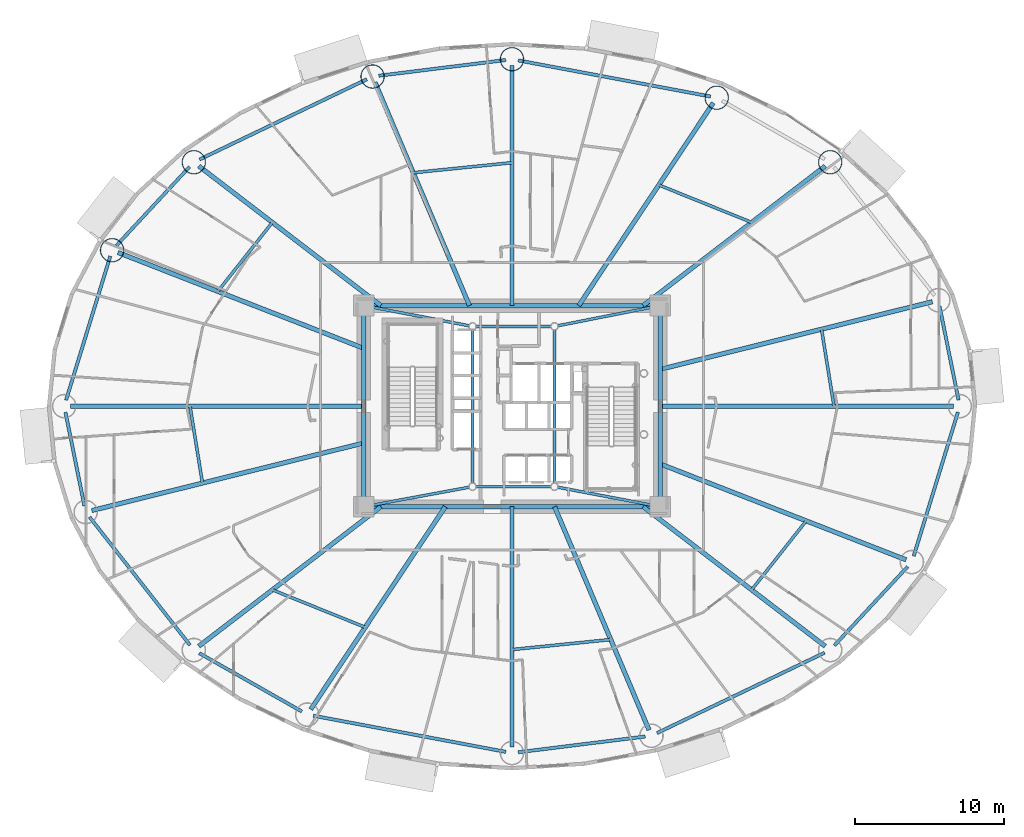
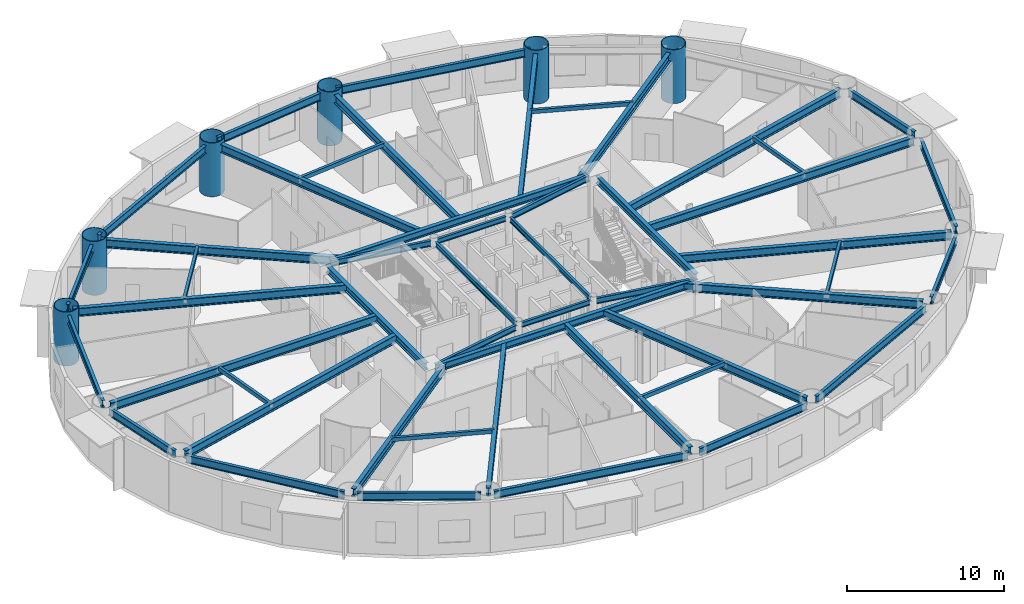
# One storey, part 3 of 24: 50 beams, 6 columns.
"""IFC4 building model written with IfcOpenShell, lengths in metres."""

from ifc_helpers import new_model, si_unit, direction, frame, origin, origin_2d, place, context, subcontext, project, spatial, hollow_rectangle, hollow_circle, i_section, extrude, material, material_profile, profile_set, type_object, element, save


model = new_model("IFC4")

# Units and contexts
model_context = context("Model", 3, precision=1e-05, world=origin(), true_north=direction((0.0, 1.0)))
body_context = subcontext(model_context, "Body", "Model", "MODEL_VIEW")
ifc_project = project(units=[si_unit("LENGTHUNIT", "METRE"), si_unit("AREAUNIT", "SQUARE_METRE"), si_unit("VOLUMEUNIT", "CUBIC_METRE"), si_unit("PLANEANGLEUNIT", "RADIAN"), si_unit("MASSUNIT", "GRAM", prefix="KILO")], contexts=[model_context])

# Site, building, storey
site_placement = place(None, origin())
site = spatial("IfcSite", under=ifc_project, at=site_placement, CompositionType="ELEMENT")
building_placement = place(site_placement, origin())
building = spatial("IfcBuilding", under=site, at=building_placement, Name="Linh Dai School and Residence Tower", CompositionType="ELEMENT")
storey_placement = place(building_placement, frame((0.0, 0.0, 74.39990234375)))
storey = spatial("IfcBuildingStorey", under=building, at=storey_placement, Name="L17", CompositionType="ELEMENT", Elevation=74.39990234375)

# Columns
ifc_material = material(Name="Structural Steel S355JR", Category="steel")
ifc_material_profile_1 = material_profile(ifc_material, hollow_circle(Radius=0.800048828125, WallThickness=0.044921875, at=origin_2d()), Name="CHS 1600x45")
ifc_profile_set_1 = profile_set([ifc_material_profile_1], Name="Structural Steel S355JR")
column_type = type_object("IfcColumnType", Name="COL-MC2", PredefinedType="COLUMN", material=ifc_profile_set_1)
for number, where, z_axis, x_axis, name in (
    (1, (57.352783203125, 43.369140625, 0.0), (0.0, 0.0, 1.0), (1.0, 0.0, 0.0), "L17 Perimeter CFT Mega-Column MC03"),
    (2, (49.73828125, 47.69921875, 0.0), (0.0, 0.0, 1.0), (1.0, 0.0, 0.0), "L17 Perimeter CFT Mega-Column MC04"),
    (3, (36.0, 50.280029296875, 0.0), (0.0, 0.0, 1.0), (1.0, 0.0, 0.0), "L17 Perimeter CFT Mega-Column MC05"),
    (4, (26.642333984375, 49.119873046875, 0.0), (0.0, 0.0, 1.0), (1.0, 0.0, 0.0), "L17 Perimeter CFT Mega-Column MC06"),
    (5, (14.647216796875, 43.369140625, 0.0), (0.0, 0.0, 1.0), (1.0, 0.0, 0.0), "L17 Perimeter CFT Mega-Column MC07"),
    (6, (9.16455078125, 37.4638671875, 0.0), (0.0, 0.0, 1.0), (1.0, 0.0, 0.0), "L17 Perimeter CFT Mega-Column MC08"),
):
    element("IfcColumn", number, at=place(storey_placement, frame(where, z_axis=z_axis, x_axis=x_axis)), inside=storey, type_object=column_type, Name=name, PredefinedType="COLUMN", context=body_context, shape_type="SweptSolid", body=[
        extrude(hollow_circle(Radius=0.800048828125, WallThickness=0.044921875, at=origin_2d()), origin(), (0.0, 0.0, 1.0), 4.2001953125),
    ])

# Beams
ifc_material_profile_2 = material_profile(ifc_material, hollow_rectangle(XDim=0.199951171875, YDim=0.300048828125, WallThickness=0.010009765625, at=origin_2d()), Name="RHS 300x200x10")
ifc_profile_set_2 = profile_set([ifc_material_profile_2], Name="Structural Steel S355JR")
beam_type_1 = type_object("IfcBeamType", Name="BM-BX3", PredefinedType="BEAM", material=ifc_profile_set_2)
beam_1_placement = place(storey_placement, frame((57.607177734375, 27.0048828125, 3.800048828125), z_axis=(-0.159632523434, 0.987176507754, 0.0), x_axis=(-0.987176507754, -0.159632523434, 0.0)))
element("IfcBeam", 7, at=beam_1_placement, inside=storey, type_object=beam_type_1, Name="L17 Secondary Circumferential Floor Beam 01", PredefinedType="BEAM", context=body_context, shape_type="SweptSolid", body=[
    extrude(hollow_rectangle(XDim=0.199951171875, YDim=0.300048828125, WallThickness=0.010009765625, at=origin_2d()), origin(), (0.0, 0.0, 1.0), 5.21826171875),
])
beam_2_placement = place(storey_placement, frame((52.078125, 39.3310546875, 3.800048828125), z_axis=(-0.927542803202, 0.373716935968, 0.0), x_axis=(-0.373716935968, -0.927542803202, 0.0)))
element("IfcBeam", 8, at=beam_2_placement, inside=storey, type_object=beam_type_1, Name="L17 Secondary Circumferential Floor Beam 02", PredefinedType="BEAM", context=body_context, shape_type="SweptSolid", body=[
    extrude(hollow_rectangle(XDim=0.199951171875, YDim=0.300048828125, WallThickness=0.010009765625, at=origin_2d()), origin(), (0.0, 0.0, 1.0), 6.709716796875),
])
beam_3_placement = place(storey_placement, frame((35.9951171875, 43.3369140625, 3.800048828125), z_axis=(-0.99488448114, -0.10101915257, 0.0), x_axis=(0.10101915257, -0.99488448114, 0.0)))
element("IfcBeam", 9, at=beam_3_placement, inside=storey, type_object=beam_type_1, Name="L17 Secondary Circumferential Floor Beam 03", PredefinedType="BEAM", context=body_context, shape_type="SweptSolid", body=[
    extrude(hollow_rectangle(XDim=0.199951171875, YDim=0.300048828125, WallThickness=0.010009765625, at=origin_2d()), origin(), (0.0, 0.0, 1.0), 6.65087890625),
])
beam_4_placement = place(storey_placement, frame((19.914306640625, 39.3251953125, 3.800048828125), z_axis=(-0.620188156993, -0.784453089691, 0.0), x_axis=(0.784453089691, -0.620188156993, 0.0)))
element("IfcBeam", 10, at=beam_4_placement, inside=storey, type_object=beam_type_1, Name="L17 Secondary Circumferential Floor Beam 04", PredefinedType="BEAM", context=body_context, shape_type="SweptSolid", body=[
    extrude(hollow_rectangle(XDim=0.199951171875, YDim=0.300048828125, WallThickness=0.010009765625, at=origin_2d()), origin(), (0.0, 0.0, 1.0), 5.89306640625),
])
beam_5_placement = place(storey_placement, frame((14.392822265625, 26.9951171875, 3.800048828125), z_axis=(0.159632523434, -0.987176507754, 0.0), x_axis=(0.987176507754, 0.159632523434, 0.0)))
element("IfcBeam", 11, at=beam_5_placement, inside=storey, type_object=beam_type_1, Name="L17 Secondary Circumferential Floor Beam 05", PredefinedType="BEAM", context=body_context, shape_type="SweptSolid", body=[
    extrude(hollow_rectangle(XDim=0.199951171875, YDim=0.300048828125, WallThickness=0.010009765625, at=origin_2d()), origin(), (0.0, 0.0, 1.0), 5.21826171875),
])
beam_6_placement = place(storey_placement, frame((19.921875, 14.6689453125, 3.800048828125), z_axis=(0.927542803202, -0.373716935968, 0.0), x_axis=(0.373716935968, 0.927542803202, 0.0)))
element("IfcBeam", 12, at=beam_6_placement, inside=storey, type_object=beam_type_1, Name="L17 Secondary Circumferential Floor Beam 06", PredefinedType="BEAM", context=body_context, shape_type="SweptSolid", body=[
    extrude(hollow_rectangle(XDim=0.199951171875, YDim=0.300048828125, WallThickness=0.010009765625, at=origin_2d()), origin(), (0.0, 0.0, 1.0), 6.709716796875),
])
beam_7_placement = place(storey_placement, frame((36.0048828125, 10.6630859375, 3.800048828125), z_axis=(0.99488448114, 0.10101915257, 0.0), x_axis=(-0.10101915257, 0.99488448114, 0.0)))
element("IfcBeam", 13, at=beam_7_placement, inside=storey, type_object=beam_type_1, Name="L17 Secondary Circumferential Floor Beam 07", PredefinedType="BEAM", context=body_context, shape_type="SweptSolid", body=[
    extrude(hollow_rectangle(XDim=0.199951171875, YDim=0.300048828125, WallThickness=0.010009765625, at=origin_2d()), origin(), (0.0, 0.0, 1.0), 6.65087890625),
])
beam_8_placement = place(storey_placement, frame((52.085693359375, 14.6748046875, 3.800048828125), z_axis=(0.620188156993, 0.784453089691, 0.0), x_axis=(-0.784453089691, 0.620188156993, 0.0)))
element("IfcBeam", 14, at=beam_8_placement, inside=storey, type_object=beam_type_1, Name="L17 Secondary Circumferential Floor Beam 08", PredefinedType="BEAM", context=body_context, shape_type="SweptSolid", body=[
    extrude(hollow_rectangle(XDim=0.199951171875, YDim=0.300048828125, WallThickness=0.010009765625, at=origin_2d()), origin(), (0.0, 0.0, 1.0), 5.89306640625),
])
ifc_material_profile_3 = material_profile(ifc_material, i_section(OverallWidth=0.219970703125, OverallDepth=0.60009765625, WebThickness=0.011962890625, FlangeThickness=0.01904296875, FilletRadius=0.02392578125, at=origin_2d()), Name="IPE 600")
ifc_profile_set_3 = profile_set([ifc_material_profile_3], Name="Structural Steel S355JR")
beam_type_2 = type_object("IfcBeamType", Name="BM-RB60", PredefinedType="BEAM", material=ifc_profile_set_3)
beam_9_placement = place(storey_placement, frame((65.966552734375, 27.41162109375, 3.650146484375), z_axis=(-0.198429171022, 0.980115230005, 0.0), x_axis=(-0.980115230005, -0.198429171022, 0.0)))
element("IfcBeam", 15, at=beam_9_placement, inside=storey, type_object=beam_type_2, Name="L17 Perimeter Elliptical Ring Beam 01", PredefinedType="BEAM", context=body_context, shape_type="SweptSolid", body=[
    extrude(i_section(OverallWidth=0.219970703125, OverallDepth=0.60009765625, WebThickness=0.011962890625, FlangeThickness=0.01904296875, FilletRadius=0.02392578125, at=origin_2d()), origin(), (0.0, 0.0, 1.0), 6.41259765625),
])
beam_10_placement = place(storey_placement, frame((49.32568359375, 47.776611328125, 3.650146484375), z_axis=(-0.982808389171, 0.184628465236, 0.0), x_axis=(-0.184628465236, -0.982808389171, 0.0)))
element("IfcBeam", 16, at=beam_10_placement, inside=storey, type_object=beam_type_2, Name="L17 Perimeter Elliptical Ring Beam 04", PredefinedType="BEAM", context=body_context, shape_type="SweptSolid", body=[
    extrude(i_section(OverallWidth=0.219970703125, OverallDepth=0.60009765625, WebThickness=0.011962890625, FlangeThickness=0.01904296875, FilletRadius=0.02392578125, at=origin_2d()), origin(), (0.0, 0.0, 1.0), 13.138671875),
])
beam_11_placement = place(storey_placement, frame((35.583251953125, 50.228271484375, 3.650146484375), z_axis=(-0.99240113372, -0.123044665842, 0.0), x_axis=(0.123044665842, -0.99240113372, 0.0)))
element("IfcBeam", 17, at=beam_11_placement, inside=storey, type_object=beam_type_2, Name="L17 Perimeter Elliptical Ring Beam 05", PredefinedType="BEAM", context=body_context, shape_type="SweptSolid", body=[
    extrude(i_section(OverallWidth=0.219970703125, OverallDepth=0.60009765625, WebThickness=0.011962890625, FlangeThickness=0.01904296875, FilletRadius=0.02392578125, at=origin_2d()), origin(), (0.0, 0.0, 1.0), 8.58935546875),
])
beam_12_placement = place(storey_placement, frame((26.263427734375, 48.938232421875, 3.650146484375), z_axis=(-0.901728693485, -0.432302398034, 0.0), x_axis=(0.432302398034, -0.901728693485, 0.0)))
element("IfcBeam", 18, at=beam_12_placement, inside=storey, type_object=beam_type_2, Name="L17 Perimeter Elliptical Ring Beam 06", PredefinedType="BEAM", context=body_context, shape_type="SweptSolid", body=[
    extrude(i_section(OverallWidth=0.219970703125, OverallDepth=0.60009765625, WebThickness=0.011962890625, FlangeThickness=0.01904296875, FilletRadius=0.02392578125, at=origin_2d()), origin(), (0.0, 0.0, 1.0), 12.462158203125),
])
beam_13_placement = place(storey_placement, frame((14.361572265625, 43.061279296875, 3.650146484375), z_axis=(-0.680408287194, -0.732833243458, 0.0), x_axis=(0.732833243458, -0.680408287194, 0.0)))
element("IfcBeam", 19, at=beam_13_placement, inside=storey, type_object=beam_type_2, Name="L17 Perimeter Elliptical Ring Beam 07", PredefinedType="BEAM", context=body_context, shape_type="SweptSolid", body=[
    extrude(i_section(OverallWidth=0.219970703125, OverallDepth=0.60009765625, WebThickness=0.011962890625, FlangeThickness=0.01904296875, FilletRadius=0.02392578125, at=origin_2d()), origin(), (0.0, 0.0, 1.0), 7.21826171875),
])
beam_14_placement = place(storey_placement, frame((9.041259765625, 37.062255859375, 3.650146484375), z_axis=(-0.293673329015, -0.95590584046, 0.0), x_axis=(0.95590584046, -0.293673329015, 0.0)))
element("IfcBeam", 20, at=beam_14_placement, inside=storey, type_object=beam_type_2, Name="L17 Perimeter Elliptical Ring Beam 08", PredefinedType="BEAM", context=body_context, shape_type="SweptSolid", body=[
    extrude(i_section(OverallWidth=0.219970703125, OverallDepth=0.60009765625, WebThickness=0.011962890625, FlangeThickness=0.01904296875, FilletRadius=0.02392578125, at=origin_2d()), origin(), (0.0, 0.0, 1.0), 10.1064453125),
])
beam_15_placement = place(storey_placement, frame((6.033447265625, 26.58837890625, 3.650146484375), z_axis=(0.198429171022, -0.980115230005, 0.0), x_axis=(0.980115230005, 0.198429171022, 0.0)))
element("IfcBeam", 21, at=beam_15_placement, inside=storey, type_object=beam_type_2, Name="L17 Perimeter Elliptical Ring Beam 09", PredefinedType="BEAM", context=body_context, shape_type="SweptSolid", body=[
    extrude(i_section(OverallWidth=0.219970703125, OverallDepth=0.60009765625, WebThickness=0.011962890625, FlangeThickness=0.01904296875, FilletRadius=0.02392578125, at=origin_2d()), origin(), (0.0, 0.0, 1.0), 6.41259765625),
])
beam_16_placement = place(storey_placement, frame((7.648193359375, 19.560791015625, 3.650146484375), z_axis=(0.616878670407, -0.787058260866, 0.0), x_axis=(0.787058260866, 0.616878670407, 0.0)))
element("IfcBeam", 22, at=beam_16_placement, inside=storey, type_object=beam_type_2, Name="L17 Perimeter Elliptical Ring Beam 10", PredefinedType="BEAM", context=body_context, shape_type="SweptSolid", body=[
    extrude(i_section(OverallWidth=0.219970703125, OverallDepth=0.60009765625, WebThickness=0.011962890625, FlangeThickness=0.01904296875, FilletRadius=0.02392578125, at=origin_2d()), origin(), (0.0, 0.0, 1.0), 10.926025390625),
])
beam_17_placement = place(storey_placement, frame((15.012451171875, 10.42333984375, 3.650146484375), z_axis=(0.869271416992, -0.494335112653, 0.0), x_axis=(0.494335112653, 0.869271416992, 0.0)))
element("IfcBeam", 23, at=beam_17_placement, inside=storey, type_object=beam_type_2, Name="L17 Perimeter Elliptical Ring Beam 11", PredefinedType="BEAM", context=body_context, shape_type="SweptSolid", body=[
    extrude(i_section(OverallWidth=0.219970703125, OverallDepth=0.60009765625, WebThickness=0.011962890625, FlangeThickness=0.01904296875, FilletRadius=0.02392578125, at=origin_2d()), origin(), (0.0, 0.0, 1.0), 7.91943359375),
])
beam_18_placement = place(storey_placement, frame((22.67431640625, 6.223388671875, 3.650146484375), z_axis=(0.982808389171, -0.184628465236, 0.0), x_axis=(0.184628465236, 0.982808389171, 0.0)))
element("IfcBeam", 24, at=beam_18_placement, inside=storey, type_object=beam_type_2, Name="L17 Perimeter Elliptical Ring Beam 12", PredefinedType="BEAM", context=body_context, shape_type="SweptSolid", body=[
    extrude(i_section(OverallWidth=0.219970703125, OverallDepth=0.60009765625, WebThickness=0.011962890625, FlangeThickness=0.01904296875, FilletRadius=0.02392578125, at=origin_2d()), origin(), (0.0, 0.0, 1.0), 13.138671875),
])
beam_19_placement = place(storey_placement, frame((36.416748046875, 3.771728515625, 3.650146484375), z_axis=(0.99240113372, 0.123044665842, 0.0), x_axis=(-0.123044665842, 0.99240113372, 0.0)))
element("IfcBeam", 25, at=beam_19_placement, inside=storey, type_object=beam_type_2, Name="L17 Perimeter Elliptical Ring Beam 13", PredefinedType="BEAM", context=body_context, shape_type="SweptSolid", body=[
    extrude(i_section(OverallWidth=0.219970703125, OverallDepth=0.60009765625, WebThickness=0.011962890625, FlangeThickness=0.01904296875, FilletRadius=0.02392578125, at=origin_2d()), origin(), (0.0, 0.0, 1.0), 8.58935546875),
])
beam_20_placement = place(storey_placement, frame((45.736572265625, 5.061767578125, 3.650146484375), z_axis=(0.901728693485, 0.432302398034, 0.0), x_axis=(-0.432302398034, 0.901728693485, 0.0)))
element("IfcBeam", 26, at=beam_20_placement, inside=storey, type_object=beam_type_2, Name="L17 Perimeter Elliptical Ring Beam 14", PredefinedType="BEAM", context=body_context, shape_type="SweptSolid", body=[
    extrude(i_section(OverallWidth=0.219970703125, OverallDepth=0.60009765625, WebThickness=0.011962890625, FlangeThickness=0.01904296875, FilletRadius=0.02392578125, at=origin_2d()), origin(), (0.0, 0.0, 1.0), 12.462158203125),
])
beam_21_placement = place(storey_placement, frame((57.638427734375, 10.938720703125, 3.650146484375), z_axis=(0.680408287194, 0.732833243458, 0.0), x_axis=(-0.732833243458, 0.680408287194, 0.0)))
element("IfcBeam", 27, at=beam_21_placement, inside=storey, type_object=beam_type_2, Name="L17 Perimeter Elliptical Ring Beam 15", PredefinedType="BEAM", context=body_context, shape_type="SweptSolid", body=[
    extrude(i_section(OverallWidth=0.219970703125, OverallDepth=0.60009765625, WebThickness=0.011962890625, FlangeThickness=0.01904296875, FilletRadius=0.02392578125, at=origin_2d()), origin(), (0.0, 0.0, 1.0), 7.21826171875),
])
beam_22_placement = place(storey_placement, frame((62.958740234375, 16.937744140625, 3.650146484375), z_axis=(0.293673329015, 0.95590584046, 0.0), x_axis=(-0.95590584046, 0.293673329015, 0.0)))
element("IfcBeam", 28, at=beam_22_placement, inside=storey, type_object=beam_type_2, Name="L17 Perimeter Elliptical Ring Beam 16", PredefinedType="BEAM", context=body_context, shape_type="SweptSolid", body=[
    extrude(i_section(OverallWidth=0.219970703125, OverallDepth=0.60009765625, WebThickness=0.011962890625, FlangeThickness=0.01904296875, FilletRadius=0.02392578125, at=origin_2d()), origin(), (0.0, 0.0, 1.0), 10.1064453125),
])
ifc_material_profile_4 = material_profile(ifc_material, i_section(OverallWidth=0.300048828125, OverallDepth=0.550048828125, WebThickness=0.014892578125, FlangeThickness=0.029052734375, FilletRadius=0.027099609375, at=origin_2d()), Name="HEB 550")
ifc_profile_set_4 = profile_set([ifc_material_profile_4], Name="Structural Steel S355JR")
beam_type_3 = type_object("IfcBeamType", Name="BM-RG55", PredefinedType="BEAM", material=ifc_profile_set_4)
beam_23_placement = place(storey_placement, frame((26.469970703125, 20.25, 3.675048828125), z_axis=(1.0, 0.0, 0.0), x_axis=(0.0, 1.0, 0.0)))
element("IfcBeam", 29, at=beam_23_placement, inside=storey, type_object=beam_type_3, Name="L17 Core Perimeter Coupling Girder 1", PredefinedType="BEAM", context=body_context, shape_type="SweptSolid", body=[
    extrude(i_section(OverallWidth=0.300048828125, OverallDepth=0.550048828125, WebThickness=0.014892578125, FlangeThickness=0.029052734375, FilletRadius=0.027099609375, at=origin_2d()), origin(), (0.0, 0.0, 1.0), 19.06005859375),
])
beam_24_placement = place(storey_placement, frame((45.949951171875, 20.669921875, 3.675048828125), z_axis=(0.0, 1.0, 0.0), x_axis=(-1.0, 0.0, 0.0)))
element("IfcBeam", 30, at=beam_24_placement, inside=storey, type_object=beam_type_3, Name="L17 Core Perimeter Coupling Girder 2", PredefinedType="BEAM", context=body_context, shape_type="SweptSolid", body=[
    extrude(i_section(OverallWidth=0.300048828125, OverallDepth=0.550048828125, WebThickness=0.014892578125, FlangeThickness=0.029052734375, FilletRadius=0.027099609375, at=origin_2d()), origin(), (0.0, 0.0, 1.0), 12.66015625),
])
beam_25_placement = place(storey_placement, frame((45.530029296875, 33.75, 3.675048828125), z_axis=(-1.0, 0.0, 0.0), x_axis=(0.0, -1.0, 0.0)))
element("IfcBeam", 31, at=beam_25_placement, inside=storey, type_object=beam_type_3, Name="L17 Core Perimeter Coupling Girder 3", PredefinedType="BEAM", context=body_context, shape_type="SweptSolid", body=[
    extrude(i_section(OverallWidth=0.300048828125, OverallDepth=0.550048828125, WebThickness=0.014892578125, FlangeThickness=0.029052734375, FilletRadius=0.027099609375, at=origin_2d()), origin(), (0.0, 0.0, 1.0), 19.06005859375),
])
beam_26_placement = place(storey_placement, frame((26.050048828125, 33.330078125, 3.675048828125), z_axis=(0.0, -1.0, 0.0), x_axis=(1.0, 0.0, 0.0)))
element("IfcBeam", 32, at=beam_26_placement, inside=storey, type_object=beam_type_3, Name="L17 Core Perimeter Coupling Girder 4", PredefinedType="BEAM", context=body_context, shape_type="SweptSolid", body=[
    extrude(i_section(OverallWidth=0.300048828125, OverallDepth=0.550048828125, WebThickness=0.014892578125, FlangeThickness=0.029052734375, FilletRadius=0.027099609375, at=origin_2d()), origin(), (0.0, 0.0, 1.0), 12.66015625),
])
ifc_material_profile_5 = material_profile(ifc_material, i_section(OverallWidth=0.300048828125, OverallDepth=0.64990234375, WebThickness=0.01611328125, FlangeThickness=0.031005859375, FilletRadius=0.027099609375, at=origin_2d()), Name="HEB 650")
ifc_profile_set_5 = profile_set([ifc_material_profile_5], Name="Structural Steel S355JR")
beam_type_4 = type_object("IfcBeamType", Name="BM-RG65", PredefinedType="BEAM", material=ifc_profile_set_5)
beam_27_placement = place(storey_placement, frame((45.949951171875, 27.0, 3.625), z_axis=(1.0, 0.0, 0.0), x_axis=(0.0, 1.0, 0.0)))
element("IfcBeam", 33, at=beam_27_placement, inside=storey, type_object=beam_type_4, Name="L17 Primary Radial Floor Girder 01", PredefinedType="BEAM", context=body_context, shape_type="SweptSolid", body=[
    extrude(i_section(OverallWidth=0.300048828125, OverallDepth=0.64990234375, WebThickness=0.01611328125, FlangeThickness=0.031005859375, FilletRadius=0.027099609375, at=origin_2d()), origin(), (0.0, 0.0, 1.0), 19.679931640625),
])
beam_28_placement = place(storey_placement, frame((45.949951171875, 29.47216796875, 3.625), z_axis=(0.970493481328, 0.241127357843, 0.0), x_axis=(-0.241127357843, 0.970493481328, 0.0)))
element("IfcBeam", 34, at=beam_28_placement, inside=storey, type_object=beam_type_4, Name="L17 Primary Radial Floor Girder 02", PredefinedType="BEAM", context=body_context, shape_type="SweptSolid", body=[
    extrude(i_section(OverallWidth=0.300048828125, OverallDepth=0.64990234375, WebThickness=0.01611328125, FlangeThickness=0.031005859375, FilletRadius=0.027099609375, at=origin_2d()), origin(), (0.0, 0.0, 1.0), 18.80810546875),
])
beam_29_placement = place(storey_placement, frame((44.804931640625, 33.75, 3.625), z_axis=(0.793637764155, 0.608390581212, 0.0), x_axis=(-0.608390581212, 0.793637764155, 0.0)))
element("IfcBeam", 35, at=beam_29_placement, inside=storey, type_object=beam_type_4, Name="L17 Primary Radial Floor Girder 03", PredefinedType="BEAM", context=body_context, shape_type="SweptSolid", body=[
    extrude(i_section(OverallWidth=0.300048828125, OverallDepth=0.64990234375, WebThickness=0.01611328125, FlangeThickness=0.031005859375, FilletRadius=0.027099609375, at=origin_2d()), origin(), (0.0, 0.0, 1.0), 15.390625),
])
beam_30_placement = place(storey_placement, frame((40.47998046875, 33.75, 3.625), z_axis=(0.55300421354, 0.833178456158, 0.0), x_axis=(-0.833178456158, 0.55300421354, 0.0)))
element("IfcBeam", 36, at=beam_30_placement, inside=storey, type_object=beam_type_4, Name="L17 Primary Radial Floor Girder 04", PredefinedType="BEAM", context=body_context, shape_type="SweptSolid", body=[
    extrude(i_section(OverallWidth=0.300048828125, OverallDepth=0.64990234375, WebThickness=0.01611328125, FlangeThickness=0.031005859375, FilletRadius=0.027099609375, at=origin_2d()), origin(), (0.0, 0.0, 1.0), 16.322021484375),
])
beam_31_placement = place(storey_placement, frame((36.0, 33.75, 3.625), z_axis=(0.0, 1.0, 0.0), x_axis=(-1.0, 0.0, 0.0)))
element("IfcBeam", 37, at=beam_31_placement, inside=storey, type_object=beam_type_4, Name="L17 Primary Radial Floor Girder 05", PredefinedType="BEAM", context=body_context, shape_type="SweptSolid", body=[
    extrude(i_section(OverallWidth=0.300048828125, OverallDepth=0.64990234375, WebThickness=0.01611328125, FlangeThickness=0.031005859375, FilletRadius=0.027099609375, at=origin_2d()), origin(), (0.0, 0.0, 1.0), 16.110107421875),
])
beam_32_placement = place(storey_placement, frame((33.14453125, 33.75, 3.625), z_axis=(-0.38962432485, 0.920973878829, 0.0), x_axis=(-0.920973878829, -0.38962432485, 0.0)))
element("IfcBeam", 38, at=beam_32_placement, inside=storey, type_object=beam_type_4, Name="L17 Primary Radial Floor Girder 06", PredefinedType="BEAM", context=body_context, shape_type="SweptSolid", body=[
    extrude(i_section(OverallWidth=0.300048828125, OverallDepth=0.64990234375, WebThickness=0.01611328125, FlangeThickness=0.031005859375, FilletRadius=0.027099609375, at=origin_2d()), origin(), (0.0, 0.0, 1.0), 16.2685546875),
])
beam_33_placement = place(storey_placement, frame((27.195068359375, 33.75, 3.625), z_axis=(-0.793637764155, 0.608390581212, 0.0), x_axis=(-0.608390581212, -0.793637764155, 0.0)))
element("IfcBeam", 39, at=beam_33_placement, inside=storey, type_object=beam_type_4, Name="L17 Primary Radial Floor Girder 07", PredefinedType="BEAM", context=body_context, shape_type="SweptSolid", body=[
    extrude(i_section(OverallWidth=0.300048828125, OverallDepth=0.64990234375, WebThickness=0.01611328125, FlangeThickness=0.031005859375, FilletRadius=0.027099609375, at=origin_2d()), origin(), (0.0, 0.0, 1.0), 15.390625),
])
beam_34_placement = place(storey_placement, frame((26.050048828125, 30.879638671875, 3.625), z_axis=(-0.93167509369, 0.363292609061, 0.0), x_axis=(-0.363292609061, -0.93167509369, 0.0)))
element("IfcBeam", 40, at=beam_34_placement, inside=storey, type_object=beam_type_4, Name="L17 Primary Radial Floor Girder 08", PredefinedType="BEAM", context=body_context, shape_type="SweptSolid", body=[
    extrude(i_section(OverallWidth=0.300048828125, OverallDepth=0.64990234375, WebThickness=0.01611328125, FlangeThickness=0.031005859375, FilletRadius=0.027099609375, at=origin_2d()), origin(), (0.0, 0.0, 1.0), 17.703857421875),
])
beam_35_placement = place(storey_placement, frame((26.050048828125, 27.0, 3.625), z_axis=(-1.0, 0.0, 0.0), x_axis=(0.0, -1.0, 0.0)))
element("IfcBeam", 41, at=beam_35_placement, inside=storey, type_object=beam_type_4, Name="L17 Primary Radial Floor Girder 09", PredefinedType="BEAM", context=body_context, shape_type="SweptSolid", body=[
    extrude(i_section(OverallWidth=0.300048828125, OverallDepth=0.64990234375, WebThickness=0.01611328125, FlangeThickness=0.031005859375, FilletRadius=0.027099609375, at=origin_2d()), origin(), (0.0, 0.0, 1.0), 19.679931640625),
])
beam_36_placement = place(storey_placement, frame((26.050048828125, 24.52783203125, 3.625), z_axis=(-0.970493481328, -0.241127357843, 0.0), x_axis=(0.241127357843, -0.970493481328, 0.0)))
element("IfcBeam", 42, at=beam_36_placement, inside=storey, type_object=beam_type_4, Name="L17 Primary Radial Floor Girder 10", PredefinedType="BEAM", context=body_context, shape_type="SweptSolid", body=[
    extrude(i_section(OverallWidth=0.300048828125, OverallDepth=0.64990234375, WebThickness=0.01611328125, FlangeThickness=0.031005859375, FilletRadius=0.027099609375, at=origin_2d()), origin(), (0.0, 0.0, 1.0), 18.80810546875),
])
beam_37_placement = place(storey_placement, frame((27.195068359375, 20.25, 3.625), z_axis=(-0.793637764155, -0.608390581212, 0.0), x_axis=(0.608390581212, -0.793637764155, 0.0)))
element("IfcBeam", 43, at=beam_37_placement, inside=storey, type_object=beam_type_4, Name="L17 Primary Radial Floor Girder 11", PredefinedType="BEAM", context=body_context, shape_type="SweptSolid", body=[
    extrude(i_section(OverallWidth=0.300048828125, OverallDepth=0.64990234375, WebThickness=0.01611328125, FlangeThickness=0.031005859375, FilletRadius=0.027099609375, at=origin_2d()), origin(), (0.0, 0.0, 1.0), 15.390625),
])
beam_38_placement = place(storey_placement, frame((31.52001953125, 20.25, 3.625), z_axis=(-0.55300421354, -0.833178456158, 0.0), x_axis=(0.833178456158, -0.55300421354, 0.0)))
element("IfcBeam", 44, at=beam_38_placement, inside=storey, type_object=beam_type_4, Name="L17 Primary Radial Floor Girder 12", PredefinedType="BEAM", context=body_context, shape_type="SweptSolid", body=[
    extrude(i_section(OverallWidth=0.300048828125, OverallDepth=0.64990234375, WebThickness=0.01611328125, FlangeThickness=0.031005859375, FilletRadius=0.027099609375, at=origin_2d()), origin(), (0.0, 0.0, 1.0), 16.322021484375),
])
beam_39_placement = place(storey_placement, frame((36.0, 20.25, 3.625), z_axis=(0.0, -1.0, 0.0), x_axis=(1.0, 0.0, 0.0)))
element("IfcBeam", 45, at=beam_39_placement, inside=storey, type_object=beam_type_4, Name="L17 Primary Radial Floor Girder 13", PredefinedType="BEAM", context=body_context, shape_type="SweptSolid", body=[
    extrude(i_section(OverallWidth=0.300048828125, OverallDepth=0.64990234375, WebThickness=0.01611328125, FlangeThickness=0.031005859375, FilletRadius=0.027099609375, at=origin_2d()), origin(), (0.0, 0.0, 1.0), 16.110107421875),
])
beam_40_placement = place(storey_placement, frame((38.85546875, 20.25, 3.625), z_axis=(0.38962432485, -0.920973878829, 0.0), x_axis=(0.920973878829, 0.38962432485, 0.0)))
element("IfcBeam", 46, at=beam_40_placement, inside=storey, type_object=beam_type_4, Name="L17 Primary Radial Floor Girder 14", PredefinedType="BEAM", context=body_context, shape_type="SweptSolid", body=[
    extrude(i_section(OverallWidth=0.300048828125, OverallDepth=0.64990234375, WebThickness=0.01611328125, FlangeThickness=0.031005859375, FilletRadius=0.027099609375, at=origin_2d()), origin(), (0.0, 0.0, 1.0), 16.2685546875),
])
beam_41_placement = place(storey_placement, frame((44.804931640625, 20.25, 3.625), z_axis=(0.793637764155, -0.608390581212, 0.0), x_axis=(0.608390581212, 0.793637764155, 0.0)))
element("IfcBeam", 47, at=beam_41_placement, inside=storey, type_object=beam_type_4, Name="L17 Primary Radial Floor Girder 15", PredefinedType="BEAM", context=body_context, shape_type="SweptSolid", body=[
    extrude(i_section(OverallWidth=0.300048828125, OverallDepth=0.64990234375, WebThickness=0.01611328125, FlangeThickness=0.031005859375, FilletRadius=0.027099609375, at=origin_2d()), origin(), (0.0, 0.0, 1.0), 15.390625),
])
beam_42_placement = place(storey_placement, frame((45.949951171875, 23.120361328125, 3.625), z_axis=(0.93167509369, -0.363292609061, 0.0), x_axis=(0.363292609061, 0.93167509369, 0.0)))
element("IfcBeam", 48, at=beam_42_placement, inside=storey, type_object=beam_type_4, Name="L17 Primary Radial Floor Girder 16", PredefinedType="BEAM", context=body_context, shape_type="SweptSolid", body=[
    extrude(i_section(OverallWidth=0.300048828125, OverallDepth=0.64990234375, WebThickness=0.01611328125, FlangeThickness=0.031005859375, FilletRadius=0.027099609375, at=origin_2d()), origin(), (0.0, 0.0, 1.0), 17.703857421875),
])
ifc_material_profile_6 = material_profile(ifc_material, i_section(OverallWidth=0.179931640625, OverallDepth=0.39990234375, WebThickness=0.008544921875, FlangeThickness=0.013427734375, FilletRadius=0.02099609375, at=origin_2d()), Name="IPE 400")
ifc_profile_set_6 = profile_set([ifc_material_profile_6], Name="Structural Steel S355JR")
beam_type_5 = type_object("IfcBeamType", Name="BM-SB40", PredefinedType="BEAM", material=ifc_profile_set_6)
beam_43_placement = place(storey_placement, frame((33.573974609375, 21.60009765625, 3.75), z_axis=(1.0, 0.0, 0.0), x_axis=(0.0, 1.0, 0.0)))
element("IfcBeam", 49, at=beam_43_placement, inside=storey, type_object=beam_type_5, Name="L17 Core Mast Pier Tie Beam 1", PredefinedType="BEAM", context=body_context, shape_type="SweptSolid", body=[
    extrude(i_section(OverallWidth=0.179931640625, OverallDepth=0.39990234375, WebThickness=0.008544921875, FlangeThickness=0.013427734375, FilletRadius=0.02099609375, at=origin_2d()), origin(), (0.0, 0.0, 1.0), 5.052001953125),
])
beam_44_placement = place(storey_placement, frame((38.85009765625, 21.823974609375, 3.75), z_axis=(0.0, 1.0, 0.0), x_axis=(-1.0, 0.0, 0.0)))
element("IfcBeam", 50, at=beam_44_placement, inside=storey, type_object=beam_type_5, Name="L17 Core Mast Pier Tie Beam 2", PredefinedType="BEAM", context=body_context, shape_type="SweptSolid", body=[
    extrude(i_section(OverallWidth=0.179931640625, OverallDepth=0.39990234375, WebThickness=0.008544921875, FlangeThickness=0.013427734375, FilletRadius=0.02099609375, at=origin_2d()), origin(), (0.0, 0.0, 1.0), 10.302001953125),
])
beam_45_placement = place(storey_placement, frame((38.6259765625, 32.35009765625, 3.75), z_axis=(-1.0, 0.0, 0.0), x_axis=(0.0, -1.0, 0.0)))
element("IfcBeam", 51, at=beam_45_placement, inside=storey, type_object=beam_type_5, Name="L17 Core Mast Pier Tie Beam 3", PredefinedType="BEAM", context=body_context, shape_type="SweptSolid", body=[
    extrude(i_section(OverallWidth=0.179931640625, OverallDepth=0.39990234375, WebThickness=0.008544921875, FlangeThickness=0.013427734375, FilletRadius=0.02099609375, at=origin_2d()), origin(), (0.0, 0.0, 1.0), 5.052001953125),
])
beam_46_placement = place(storey_placement, frame((33.35009765625, 32.1259765625, 3.75), z_axis=(0.0, -1.0, 0.0), x_axis=(1.0, 0.0, 0.0)))
element("IfcBeam", 52, at=beam_46_placement, inside=storey, type_object=beam_type_5, Name="L17 Core Mast Pier Tie Beam 4", PredefinedType="BEAM", context=body_context, shape_type="SweptSolid", body=[
    extrude(i_section(OverallWidth=0.179931640625, OverallDepth=0.39990234375, WebThickness=0.008544921875, FlangeThickness=0.013427734375, FilletRadius=0.02099609375, at=origin_2d()), origin(), (0.0, 0.0, 1.0), 10.302001953125),
])
ifc_material_profile_7 = material_profile(ifc_material, i_section(OverallWidth=0.18994140625, OverallDepth=0.449951171875, WebThickness=0.009521484375, FlangeThickness=0.0146484375, FilletRadius=0.02099609375, at=origin_2d()), Name="IPE 450")
ifc_profile_set_7 = profile_set([ifc_material_profile_7], Name="Structural Steel S355JR")
beam_type_6 = type_object("IfcBeamType", Name="BM-SB45", PredefinedType="BEAM", material=ifc_profile_set_7)
beam_47_placement = place(storey_placement, frame((26.462890625, 20.326416015625, 3.72509765625), z_axis=(0.983326152819, 0.18185070025, 0.0), x_axis=(-0.18185070025, 0.983326152819, 0.0)))
element("IfcBeam", 53, at=beam_47_placement, inside=storey, type_object=beam_type_6, Name="L17 Core Corner-to-Mast Pier Beam 1", PredefinedType="BEAM", context=body_context, shape_type="SweptSolid", body=[
    extrude(i_section(OverallWidth=0.18994140625, OverallDepth=0.449951171875, WebThickness=0.009521484375, FlangeThickness=0.0146484375, FilletRadius=0.02099609375, at=origin_2d()), origin(), (0.0, 0.0, 1.0), 6.77978515625),
])
beam_48_placement = place(storey_placement, frame((45.537353515625, 20.328369140625, 3.72509765625), z_axis=(-0.982397918823, 0.186800238471, 0.0), x_axis=(-0.186800238471, -0.982397918823, 0.0)))
element("IfcBeam", 54, at=beam_48_placement, inside=storey, type_object=beam_type_6, Name="L17 Core Corner-to-Mast Pier Beam 2", PredefinedType="BEAM", context=body_context, shape_type="SweptSolid", body=[
    extrude(i_section(OverallWidth=0.18994140625, OverallDepth=0.449951171875, WebThickness=0.009521484375, FlangeThickness=0.0146484375, FilletRadius=0.02099609375, at=origin_2d()), origin(), (0.0, 0.0, 1.0), 6.583251953125),
])
beam_49_placement = place(storey_placement, frame((45.537841796875, 33.668701171875, 3.72509765625), z_axis=(-0.981108354988, -0.193459028666, 0.0), x_axis=(0.193459028666, -0.981108354988, 0.0)))
element("IfcBeam", 55, at=beam_49_placement, inside=storey, type_object=beam_type_6, Name="L17 Core Corner-to-Mast Pier Beam 3", PredefinedType="BEAM", context=body_context, shape_type="SweptSolid", body=[
    extrude(i_section(OverallWidth=0.18994140625, OverallDepth=0.449951171875, WebThickness=0.009521484375, FlangeThickness=0.0146484375, FilletRadius=0.02099609375, at=origin_2d()), origin(), (0.0, 0.0, 1.0), 6.592529296875),
])
beam_50_placement = place(storey_placement, frame((26.46240234375, 33.6708984375, 3.72509765625), z_axis=(0.982100456787, -0.188357884832, 0.0), x_axis=(0.188357884832, 0.982100456787, 0.0)))
element("IfcBeam", 56, at=beam_50_placement, inside=storey, type_object=beam_type_6, Name="L17 Core Corner-to-Mast Pier Beam 4", PredefinedType="BEAM", context=body_context, shape_type="SweptSolid", body=[
    extrude(i_section(OverallWidth=0.18994140625, OverallDepth=0.449951171875, WebThickness=0.009521484375, FlangeThickness=0.0146484375, FilletRadius=0.02099609375, at=origin_2d()), origin(), (0.0, 0.0, 1.0), 6.789306640625),
])

save(model, "model.ifc")
